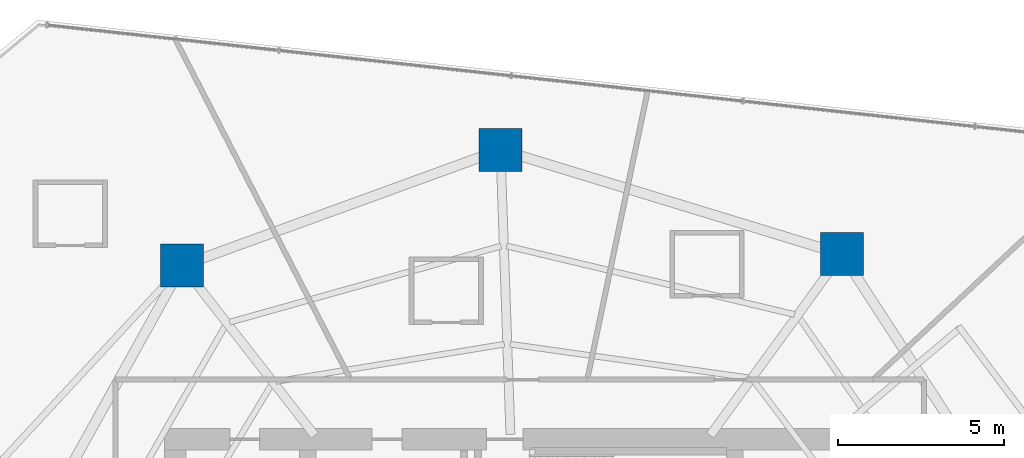
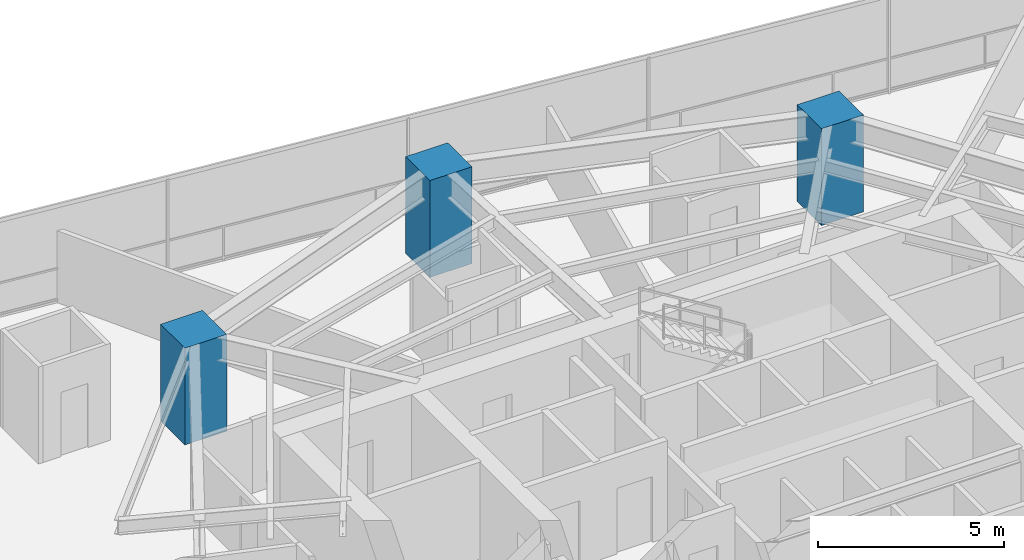
# One storey, part 2 of 28: 3 columns.
"""IFC4 building model written with IfcOpenShell, lengths in metres."""

from ifc_helpers import new_model, si_unit, direction, frame, origin, origin_2d, place, context, subcontext, project, spatial, rectangle, extrude, material, material_profile, profile_set, type_object, element, save


model = new_model("IFC4")

# Units and contexts
model_context = context("Model", 3, precision=1e-05, world=origin(), true_north=direction((0.0, 1.0)))
body_context = subcontext(model_context, "Body", "Model", "MODEL_VIEW")
ifc_project = project(units=[si_unit("LENGTHUNIT", "METRE"), si_unit("AREAUNIT", "SQUARE_METRE"), si_unit("VOLUMEUNIT", "CUBIC_METRE"), si_unit("PLANEANGLEUNIT", "RADIAN"), si_unit("MASSUNIT", "GRAM", prefix="KILO")], contexts=[model_context])

# Site, building, storey
site_placement = place(None, origin())
site = spatial("IfcSite", under=ifc_project, at=site_placement, CompositionType="ELEMENT")
building_placement = place(site_placement, origin())
building = spatial("IfcBuilding", under=site, at=building_placement, Name="Qarnah Convention Tower", CompositionType="ELEMENT")
storey_placement = place(building_placement, frame((0.0, 0.0, 44.25)))
storey = spatial("IfcBuildingStorey", under=building, at=storey_placement, Name="L10", CompositionType="ELEMENT", Elevation=44.25)

# Columns
ifc_material = material(Name="Concrete C60/75", Category="concrete")
ifc_material_profile = material_profile(ifc_material, rectangle(XDim=1.300048828125, YDim=1.300048828125, at=origin_2d()), Name="RC-COL-1300X1300")
ifc_profile_set = profile_set([ifc_material_profile], Name="Concrete C60/75")
column_type = type_object("IfcColumnType", Name="COL-Z1-1300", PredefinedType="COLUMN", material=ifc_profile_set)
for number, where, z_axis, x_axis, name in (
    (1, (46.927978515625, 39.7890625, 0.0), (0.0, 0.0, 1.0), (1.0, 0.0, 0.0), "L10 plumb column PC-Z1-02"),
    (2, (36.6220703125, 42.93994140625, 0.0), (0.0, 0.0, 1.0), (1.0, 0.0, 0.0), "L10 plumb column PC-Z1-03"),
    (3, (27.010986328125, 39.44189453125, 0.0), (0.0, 0.0, 1.0), (1.0, 0.0, 0.0), "L10 plumb column PC-Z1-04"),
):
    element("IfcColumn", number, at=place(storey_placement, frame(where, z_axis=z_axis, x_axis=x_axis)), inside=storey, type_object=column_type, Name=name, PredefinedType="COLUMN", context=body_context, shape_type="SweptSolid", body=[
        extrude(rectangle(XDim=1.300048828125, YDim=1.300048828125, at=origin_2d()), origin(), (0.0, 0.0, 1.0), 3.169921875),
    ])

save(model, "model.ifc")
